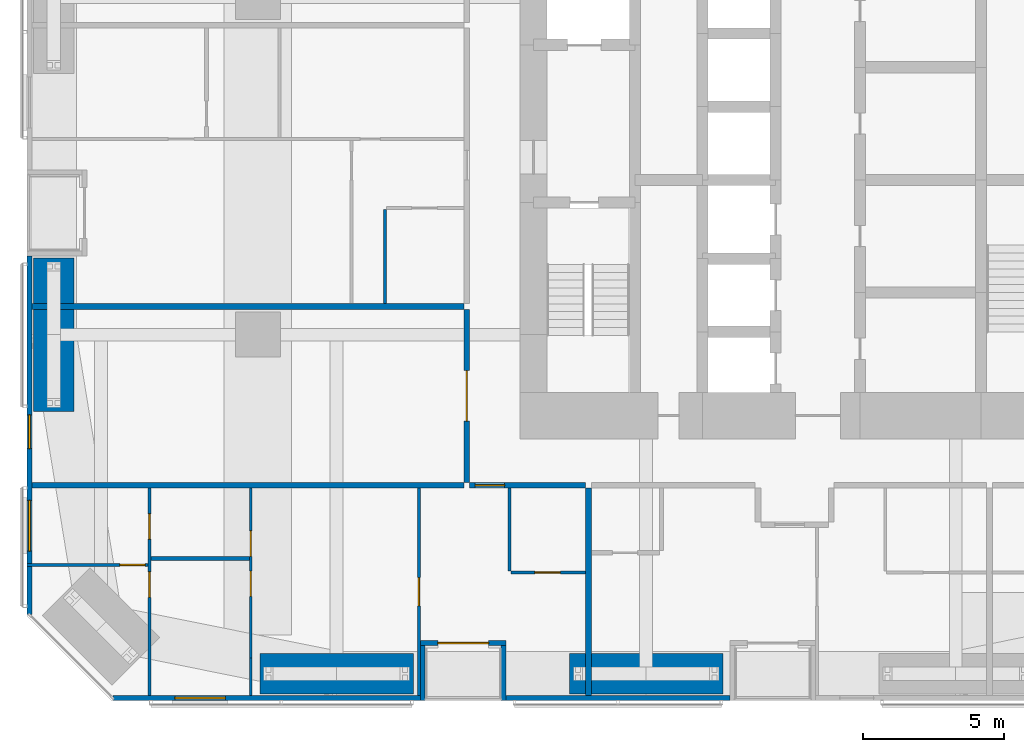
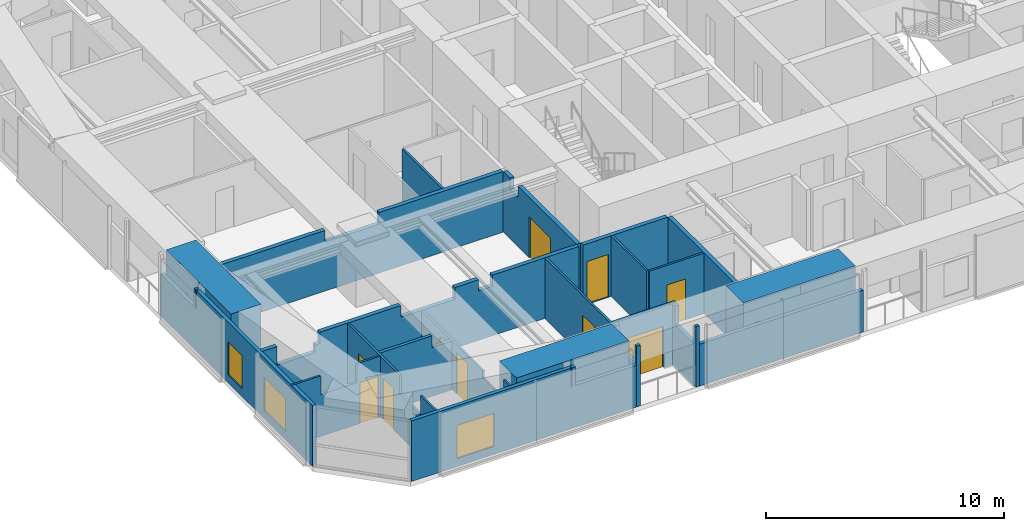
# One storey, part 16 of 23: 23 walls, 10 doors, 3 windows, 13 openings.
"""IFC4 building model written with IfcOpenShell, lengths in metres."""

from ifc_helpers import new_model, si_unit, direction, frame, frame_2d, origin, place, context, subcontext, project, spatial, polyline, rectangle, outline, extrude, material, layer, layer_set, constituent, constituent_set, type_object, element, fill, save


model = new_model("IFC4")

# Units and contexts
model_context = context("Model", 3, precision=1e-05, world=origin(), true_north=direction((0.0, 1.0)))
body_context = subcontext(model_context, "Body", "Model", "MODEL_VIEW")
ifc_project = project(units=[si_unit("LENGTHUNIT", "METRE"), si_unit("AREAUNIT", "SQUARE_METRE"), si_unit("VOLUMEUNIT", "CUBIC_METRE"), si_unit("PLANEANGLEUNIT", "RADIAN"), si_unit("MASSUNIT", "GRAM", prefix="KILO")], contexts=[model_context])

# Site, building, storey
site_placement = place(None, origin())
site = spatial("IfcSite", under=ifc_project, at=site_placement, CompositionType="ELEMENT")
building_placement = place(site_placement, origin())
building = spatial("IfcBuilding", under=site, at=building_placement, Name="Jalousie Tower", CompositionType="ELEMENT")
storey_placement = place(building_placement, frame((0.0, 0.0, 41.10009765625)))
storey = spatial("IfcBuildingStorey", under=building, at=storey_placement, Name="L10", CompositionType="ELEMENT", Elevation=41.10009765625)

# Wall
ifc_material_1 = material(Name="Concrete block ASTM C90", Category="concrete")
ifc_constituent_1 = constituent(ifc_material_1, Name="Body")
ifc_material_2 = material(Name="Render")
ifc_constituent_2 = constituent(ifc_material_2, Name="Finish")
ifc_constituent_set_1 = constituent_set(constituents=[ifc_constituent_1, ifc_constituent_2])
wall_type_1 = type_object("IfcWallType", Name="BATHROOM WALL 150", PredefinedType="PLUMBINGWALL", material=ifc_constituent_set_1)
wall_1_placement = place(storey_placement, frame((6.39990234375, 5.050048828125, 0.0), z_axis=(0.0, 0.0, 1.0), x_axis=(1.0, 0.0, 0.0)))
element("IfcWall", 1, at=wall_1_placement, inside=storey, type_object=wall_type_1, Name="Bathroom Wall 150 L10", PredefinedType="PLUMBINGWALL", context=body_context, shape_type="SweptSolid", body=[
    extrude(outline(polyline([(0.0, 0.0), (3.5, 0.0), (3.5, 3.10986328125), (3.5, 2.510009765625), (2.514892578125, 2.510009765625), (2.514892578125, 3.10986328125), (0.0, 3.10986328125), (0.0, 0.0)])), frame((0.0, 0.074951171875, 0.0), z_axis=(0.0, -1.0, 0.0), x_axis=(1.0, 0.0, 0.0)), (0.0, 0.0, 1.0), 0.14990234375),
])

# Wall, opening, door
ifc_material_3 = material(Name="Concrete block ASTM C90", Category="concrete")
ifc_constituent_3 = constituent(ifc_material_3, Name="Body")
ifc_material_4 = material(Name="Render")
ifc_constituent_4 = constituent(ifc_material_4, Name="Finish")
ifc_constituent_set_2 = constituent_set(constituents=[ifc_constituent_3, ifc_constituent_4])
wall_type_2 = type_object("IfcWallType", Name="CORRIDOR WALL 200", PredefinedType="PARTITIONING", material=ifc_constituent_set_2)
wall_2_placement = place(storey_placement, frame((17.72509765625, 7.64990234375, 0.0), z_axis=(0.0, 0.0, 1.0), x_axis=(1.0, 0.0, 0.0)))
wall_2 = element("IfcWall", 2, at=wall_2_placement, inside=storey, type_object=wall_type_2, Name="Corridor Wall 200 L10", PredefinedType="PARTITIONING", context=body_context, shape_type="SweptSolid", body=[
    extrude(rectangle(XDim=4.125, YDim=0.199951171875, at=frame_2d((2.0625, 0.0))), origin(), (0.0, 0.0, 1.0), 3.10986328125),
])
opening_1_placement = place(wall_2_placement, frame((0.199951171875, 0.0, 0.0)))
opening_1 = element("IfcOpeningElement", 3, at=opening_1_placement, cuts=wall_2, Name="Opening D1", PredefinedType="OPENING", context=body_context, shape_type="SweptSolid", body=[
    extrude(rectangle(XDim=1.050048828125, YDim=2.199951171875, at=frame_2d((0.52490234375, 1.10009765625))), frame((0.0, 0.10986328125, 0.0), z_axis=(0.0, -1.0, 0.0), x_axis=(1.0, 0.0, 0.0)), (0.0, 0.0, 1.0), 0.219970703125),
])
ifc_material_5 = material(Name="Timber fire door", Category="wood")
door_type_1 = type_object("IfcDoorType", Name="APARTMENT ENTRANCE DOOR 1050", OperationType="SINGLE_SWING_LEFT", PredefinedType="DOOR", material=ifc_material_5)
door_1_placement = place(opening_1_placement, frame((1.050048828125, 0.0, 0.0), z_axis=(0.0, 0.0, 1.0), x_axis=(-1.0, 0.0, 0.0)))
door_1 = element("IfcDoor", 4, at=door_1_placement, inside=storey, type_object=door_type_1, Name="Apartment 1001 entrance", OperationType="SINGLE_SWING_LEFT", OverallHeight=2.199951171875, OverallWidth=1.050048828125, PredefinedType="DOOR", context=body_context, shape_type="SweptSolid", body=[
    extrude(rectangle(XDim=1.050048828125, YDim=2.199951171875, at=frame_2d((0.52490234375, 1.10009765625))), frame((0.0, 0.02490234375, 0.0), z_axis=(0.0, -1.0, 0.0), x_axis=(1.0, 0.0, 0.0)), (0.0, 0.0, 1.0), 0.050048828125),
])
fill(opening_1, door_1)

wall_3_placement = place(storey_placement, frame((17.625, 7.75, 0.0), z_axis=(0.0, 0.0, 1.0), x_axis=(0.0, 1.0, 0.0)))
wall_3 = element("IfcWall", 5, at=wall_3_placement, inside=storey, type_object=wall_type_2, Name="Corridor Wall 200 L10", PredefinedType="PARTITIONING", context=body_context, shape_type="SweptSolid", body=[
    extrude(outline(polyline([(0.0, 0.0), (6.14990234375, 0.0), (6.14990234375, 3.10986328125), (5.58740234375, 3.10986328125), (5.58740234375, 2.541015625), (4.91259765625, 2.541015625), (4.91259765625, 3.10986328125), (0.0, 3.10986328125), (0.0, 0.0)])), frame((0.0, 0.10009765625, 0.0), z_axis=(0.0, -1.0, 0.0), x_axis=(1.0, 0.0, 0.0)), (0.0, 0.0, 1.0), 0.199951171875),
])
opening_2_placement = place(wall_3_placement, frame((2.175048828125, 0.0, 0.0)))
opening_2 = element("IfcOpeningElement", 6, at=opening_2_placement, cuts=wall_3, Name="Opening D22", PredefinedType="OPENING", context=body_context, shape_type="SweptSolid", body=[
    extrude(rectangle(XDim=1.800048828125, YDim=2.10009765625, at=frame_2d((0.89990234375, 1.050048828125))), frame((0.0, 0.10986328125, 0.0), z_axis=(0.0, -1.0, 0.0), x_axis=(1.0, 0.0, 0.0)), (0.0, 0.0, 1.0), 0.219970703125),
])
ifc_material_6 = material(Name="Timber fire door", Category="wood")
door_type_2 = type_object("IfcDoorType", Name="CORRIDOR DOUBLE DOOR 1800", OperationType="DOUBLE_DOOR_SINGLE_SWING", PredefinedType="DOOR", material=ifc_material_6)
door_2_placement = place(opening_2_placement, origin())
door_2 = element("IfcDoor", 7, at=door_2_placement, inside=storey, type_object=door_type_2, Name="Residents' co-working room door", OperationType="DOUBLE_DOOR_SINGLE_SWING", OverallHeight=2.10009765625, OverallWidth=1.800048828125, PredefinedType="DOOR", context=body_context, shape_type="SweptSolid", body=[
    extrude(rectangle(XDim=1.800048828125, YDim=2.10009765625, at=frame_2d((0.89990234375, 1.050048828125))), frame((0.0, 0.02490234375, 0.0), z_axis=(0.0, -1.0, 0.0), x_axis=(1.0, 0.0, 0.0)), (0.0, 0.0, 1.0), 0.050048828125),
])
fill(opening_2, door_2)

# Wall, opening, window
ifc_material_7 = material(Name="Concrete f'c 40 MPa", Category="concrete")
ifc_constituent_5 = constituent(ifc_material_7, Name="Body")
ifc_material_8 = material(Name="Render, pastel coral")
ifc_constituent_6 = constituent(ifc_material_8, Name="Finish")
ifc_constituent_set_3 = constituent_set(constituents=[ifc_constituent_5, ifc_constituent_6])
wall_type_3 = type_object("IfcWallType", Name="EXTERNAL WALL 175 CORAL RENDER", PredefinedType="SOLIDWALL", material=ifc_constituent_set_3)
wall_4_placement = place(storey_placement, frame((5.05126953125, 0.08740234375, 0.0), z_axis=(0.0, 0.0, 1.0), x_axis=(1.0, 0.0, 0.0)))
wall_4 = element("IfcWall", 8, at=wall_4_placement, inside=storey, type_object=wall_type_3, Name="External Wall 175 Coral Render L10", PredefinedType="SOLIDWALL", context=body_context, shape_type="SweptSolid", body=[
    extrude(outline(polyline([(0.0, 0.0), (10.923828125, 0.0), (10.923583984375, 2.14990234375), (7.94873046875, 2.14990234375), (7.94873046875, 3.10986328125), (7.79296875, 3.10986328125), (7.79296875, 2.14990234375), (7.74462890625, 2.14990234375), (7.74462890625, 3.10986328125), (0.0, 3.10986328125), (0.0, 0.0)])), frame((0.0, 0.08740234375, 0.0), z_axis=(0.0, -1.0, 0.0), x_axis=(1.0, 0.0, 0.0)), (0.0, 0.0, 1.0), 0.175048828125),
])
opening_3_placement = place(wall_4_placement, frame((2.19873046875, 0.0, 0.39990234375)))
opening_3 = element("IfcOpeningElement", 9, at=opening_3_placement, cuts=wall_4, Name="Opening W-BED170", PredefinedType="OPENING", context=body_context, shape_type="SweptSolid", body=[
    extrude(rectangle(XDim=1.800048828125, YDim=1.699951171875, at=frame_2d((0.89990234375, 0.85009765625))), frame((0.0, 0.097412109375, 0.0), z_axis=(0.0, -1.0, 0.0), x_axis=(1.0, 0.0, 0.0)), (0.0, 0.0, 1.0), 0.195068359375),
])
ifc_material_9 = material(Name="Aluminium frame, impact-rated glazing", Category="aluminium")
window_type_1 = type_object("IfcWindowType", Name="WINDOW BED 1800x1700", PartitioningType="SINGLE_PANEL", PredefinedType="WINDOW", material=ifc_material_9)
window_1_placement = place(opening_3_placement, origin())
window_1 = element("IfcWindow", 10, at=window_1_placement, inside=storey, type_object=window_type_1, Name="Apartment 1001 bedroom 2 window", OverallHeight=1.699951171875, OverallWidth=1.800048828125, PartitioningType="SINGLE_PANEL", PredefinedType="WINDOW", context=body_context, shape_type="SweptSolid", body=[
    extrude(rectangle(XDim=1.800048828125, YDim=1.699951171875, at=frame_2d((0.89990234375, 0.85009765625))), frame((0.0, 0.030029296875, 0.0), z_axis=(0.0, -1.0, 0.0), x_axis=(1.0, 0.0, 0.0)), (0.0, 0.0, 1.0), 0.06005859375),
])
fill(opening_3, window_1)

# Wall
wall_5_placement = place(storey_placement, frame((19.02490234375, 0.08740234375, 0.0), z_axis=(0.0, 0.0, 1.0), x_axis=(1.0, 0.0, 0.0)))
element("IfcWall", 11, at=wall_5_placement, inside=storey, type_object=wall_type_3, Name="External Wall 175 Coral Render L10", PredefinedType="SOLIDWALL", context=body_context, shape_type="SweptSolid", body=[
    extrude(rectangle(XDim=7.9501953125, YDim=0.175048828125, at=frame_2d((3.97509765625, 0.0))), origin(), (0.0, 0.0, 1.0), 2.14990234375),
])

# Wall, opening, door
wall_6_placement = place(storey_placement, frame((15.97509765625, 2.03759765625, 0.0), z_axis=(0.0, 0.0, 1.0), x_axis=(1.0, 0.0, 0.0)))
wall_6 = element("IfcWall", 12, at=wall_6_placement, inside=storey, type_object=wall_type_3, Name="External Wall 175 Coral Render L10", PredefinedType="SOLIDWALL", context=body_context, shape_type="SweptSolid", body=[
    extrude(rectangle(XDim=3.0498046875, YDim=0.175048828125, at=frame_2d((1.52490234375, 0.0))), origin(), (0.0, 0.0, 1.0), 3.10986328125),
])
opening_4_placement = place(wall_6_placement, frame((0.625, 0.0, 0.0)))
opening_4 = element("IfcOpeningElement", 13, at=opening_4_placement, cuts=wall_6, Name="Opening D-BAL21", PredefinedType="OPENING", context=body_context, shape_type="SweptSolid", body=[
    extrude(rectangle(XDim=1.800048828125, YDim=2.10009765625, at=frame_2d((0.89990234375, 1.050048828125))), frame((0.0, 0.097412109375, 0.0), z_axis=(0.0, -1.0, 0.0), x_axis=(1.0, 0.0, 0.0)), (0.0, 0.0, 1.0), 0.195068359375),
])
ifc_material_10 = material(Name="Aluminium frame, impact-rated glazing", Category="aluminium")
door_type_3 = type_object("IfcDoorType", Name="BALCONY DOOR 1800x2100", OperationType="SLIDING_TO_LEFT", PredefinedType="DOOR", material=ifc_material_10)
door_3_placement = place(opening_4_placement, origin())
door_3 = element("IfcDoor", 14, at=door_3_placement, inside=storey, type_object=door_type_3, Name="Apartment 1001 living room loggia door", OperationType="SLIDING_TO_LEFT", OverallHeight=2.10009765625, OverallWidth=1.800048828125, PredefinedType="DOOR", context=body_context, shape_type="SweptSolid", body=[
    extrude(rectangle(XDim=1.800048828125, YDim=2.10009765625, at=frame_2d((0.89990234375, 1.050048828125))), frame((0.0, 0.02490234375, 0.0), z_axis=(0.0, -1.0, 0.0), x_axis=(1.0, 0.0, 0.0)), (0.0, 0.0, 1.0), 0.050048828125),
])
fill(opening_4, door_3)

# Walls
for number, where, z_axis, x_axis, name in (
    (15, (16.0625, 0.0, 0.0), (0.0, 0.0, 1.0), (0.0, 1.0, 0.0), "External Wall 175 Coral Render L10"),
    (16, (18.9375, 0.0, 0.0), (0.0, 0.0, 1.0), (0.0, 1.0, 0.0), "External Wall 175 Coral Render L10"),
):
    element("IfcWall", number, at=place(storey_placement, frame(where, z_axis=z_axis, x_axis=x_axis)), inside=storey, type_object=wall_type_3, Name=name, PredefinedType="SOLIDWALL", context=body_context, shape_type="SweptSolid", body=[
        extrude(outline(polyline([(0.0, 0.0), (1.949951171875, 0.0), (1.949951171875, 3.10986328125), (1.75, 3.10986328125), (1.75, 2.14990234375), (0.14990234375, 2.14990234375), (0.14990234375, 3.10986328125), (0.0, 3.10986328125), (0.0, 0.0)])), frame((0.0, 0.08740234375, 0.0), z_axis=(0.0, -1.0, 0.0), x_axis=(1.0, 0.0, 0.0)), (0.0, 0.0, 1.0), 0.175048828125),
    ])

# Wall, openings, windows
wall_7_placement = place(storey_placement, frame((2.08740234375, 15.800048828125, 0.0), z_axis=(0.0, 0.0, 1.0), x_axis=(0.0, -1.0, 0.0)))
wall_7 = element("IfcWall", 17, at=wall_7_placement, inside=storey, type_object=wall_type_3, Name="External Wall 175 Coral Render L10", PredefinedType="SOLIDWALL", context=body_context, shape_type="SweptSolid", body=[
    extrude(outline(polyline([(0.0, 0.0), (12.748779296875, 0.0), (12.748779296875, 3.10986328125), (3.0185546875, 3.10986328125), (3.0185546875, 2.14990234375), (2.92578125, 2.14990234375), (2.92578125, 3.10986328125), (2.800048828125, 3.10986328125), (2.800048828125, 2.14990234375), (0.0, 2.14990234375), (0.0, 0.0)])), frame((0.0, 0.08740234375, 0.0), z_axis=(0.0, -1.0, 0.0), x_axis=(1.0, 0.0, 0.0)), (0.0, 0.0, 1.0), 0.175048828125),
])
opening_5_placement = place(wall_7_placement, frame((5.64990234375, 0.0, 0.39990234375)))
opening_5 = element("IfcOpeningElement", 18, at=opening_5_placement, cuts=wall_7, Name="Opening W-COR170", PredefinedType="OPENING", context=body_context, shape_type="SweptSolid", body=[
    extrude(rectangle(XDim=1.199951171875, YDim=1.699951171875, at=frame_2d((0.60009765625, 0.85009765625))), frame((0.0, 0.097412109375, 0.0), z_axis=(0.0, -1.0, 0.0), x_axis=(1.0, 0.0, 0.0)), (0.0, 0.0, 1.0), 0.195068359375),
])
opening_6_placement = place(wall_7_placement, frame((8.69140625, 0.0, 0.39990234375)))
opening_6 = element("IfcOpeningElement", 19, at=opening_6_placement, cuts=wall_7, Name="Opening W-BED170", PredefinedType="OPENING", context=body_context, shape_type="SweptSolid", body=[
    extrude(rectangle(XDim=1.800048828125, YDim=1.699951171875, at=frame_2d((0.89990234375, 0.85009765625))), frame((0.0, 0.097412109375, 0.0), z_axis=(0.0, -1.0, 0.0), x_axis=(1.0, 0.0, 0.0)), (0.0, 0.0, 1.0), 0.195068359375),
])
window_2_placement = place(opening_6_placement, origin())
window_2 = element("IfcWindow", 20, at=window_2_placement, inside=storey, type_object=window_type_1, Name="Apartment 1001 bedroom 1 window", OverallHeight=1.699951171875, OverallWidth=1.800048828125, PartitioningType="SINGLE_PANEL", PredefinedType="WINDOW", context=body_context, shape_type="SweptSolid", body=[
    extrude(rectangle(XDim=1.800048828125, YDim=1.699951171875, at=frame_2d((0.89990234375, 0.85009765625))), frame((0.0, 0.030029296875, 0.0), z_axis=(0.0, -1.0, 0.0), x_axis=(1.0, 0.0, 0.0)), (0.0, 0.0, 1.0), 0.06005859375),
])
fill(opening_6, window_2)
ifc_material_11 = material(Name="Aluminium frame, impact-rated glazing", Category="aluminium")
window_type_2 = type_object("IfcWindowType", Name="WINDOW COR 1200x1700", PartitioningType="SINGLE_PANEL", PredefinedType="WINDOW", material=ifc_material_11)
window_3_placement = place(opening_5_placement, origin())
window_3 = element("IfcWindow", 21, at=window_3_placement, inside=storey, type_object=window_type_2, Name="Residents' co-working room window", OverallHeight=1.699951171875, OverallWidth=1.199951171875, PartitioningType="SINGLE_PANEL", PredefinedType="WINDOW", context=body_context, shape_type="SweptSolid", body=[
    extrude(rectangle(XDim=1.199951171875, YDim=1.699951171875, at=frame_2d((0.60009765625, 0.85009765625))), frame((0.0, 0.030029296875, 0.0), z_axis=(0.0, -1.0, 0.0), x_axis=(1.0, 0.0, 0.0)), (0.0, 0.0, 1.0), 0.06005859375),
])
fill(opening_5, window_3)

# Wall, openings, doors
ifc_material_12 = material(Name="Gypsum board", Category="gypsum")
ifc_constituent_7 = constituent(ifc_material_12, Name="Body")
ifc_material_13 = material(Name="Light-gauge steel studs ASTM A653 SS Grade 33", Category="steel")
ifc_constituent_8 = constituent(ifc_material_13, Name="Framing")
ifc_constituent_set_4 = constituent_set(constituents=[ifc_constituent_7, ifc_constituent_8])
wall_type_4 = type_object("IfcWallType", Name="PARTITION 100", PredefinedType="PARTITIONING", material=ifc_constituent_set_4)
wall_8_placement = place(storey_placement, frame((6.35009765625, 0.175048828125, 0.0), z_axis=(0.0, 0.0, 1.0), x_axis=(0.0, 1.0, 0.0)))
wall_8 = element("IfcWall", 22, at=wall_8_placement, inside=storey, type_object=wall_type_4, Name="Partition 100 L10", PredefinedType="PARTITIONING", context=body_context, shape_type="SweptSolid", body=[
    extrude(outline(polyline([(0.0, 0.0), (7.375, 0.0), (7.375, 3.10986328125), (2.98828125, 3.10986328125), (2.98828125, 2.14990234375), (1.23388671875, 2.14990234375), (1.23388671875, 3.10986328125), (0.0, 3.10986328125), (0.0, 0.0)])), frame((0.0, 0.050048828125, 0.0), z_axis=(0.0, -1.0, 0.0), x_axis=(1.0, 0.0, 0.0)), (0.0, 0.0, 1.0), 0.10009765625),
])
opening_7_placement = place(wall_8_placement, frame((3.492431640625, 0.0, 0.0)))
opening_7 = element("IfcOpeningElement", 23, at=opening_7_placement, cuts=wall_8, Name="Opening D2", PredefinedType="OPENING", context=body_context, shape_type="SweptSolid", body=[
    extrude(rectangle(XDim=0.89990234375, YDim=2.10009765625, at=frame_2d((0.449951171875, 1.050048828125))), frame((0.0, 0.06005859375, 0.0), z_axis=(0.0, -1.0, 0.0), x_axis=(1.0, 0.0, 0.0)), (0.0, 0.0, 1.0), 0.1201171875),
])
opening_8_placement = place(wall_8_placement, frame((5.55859375, 0.0, 0.0)))
opening_8 = element("IfcOpeningElement", 24, at=opening_8_placement, cuts=wall_8, Name="Opening D3", PredefinedType="OPENING", context=body_context, shape_type="SweptSolid", body=[
    extrude(rectangle(XDim=0.89990234375, YDim=2.10009765625, at=frame_2d((0.449951171875, 1.050048828125))), frame((0.0, 0.06005859375, 0.0), z_axis=(0.0, -1.0, 0.0), x_axis=(1.0, 0.0, 0.0)), (0.0, 0.0, 1.0), 0.1201171875),
])
ifc_material_14 = material(Name="Timber door", Category="wood")
door_type_4 = type_object("IfcDoorType", Name="BATHROOM DOOR 900", OperationType="SINGLE_SWING_LEFT", PredefinedType="DOOR", material=ifc_material_14)
door_4_placement = place(opening_8_placement, frame((0.89990234375, 0.0, 0.0), z_axis=(0.0, 0.0, 1.0), x_axis=(-1.0, 0.0, 0.0)))
door_4 = element("IfcDoor", 25, at=door_4_placement, inside=storey, type_object=door_type_4, Name="Apartment 1001 bedroom 1 bathroom door", OperationType="SINGLE_SWING_RIGHT", OverallHeight=2.10009765625, OverallWidth=0.89990234375, PredefinedType="DOOR", context=body_context, shape_type="SweptSolid", body=[
    extrude(rectangle(XDim=0.89990234375, YDim=2.10009765625, at=frame_2d((0.449951171875, 1.050048828125))), frame((0.0, 0.02490234375, 0.0), z_axis=(0.0, -1.0, 0.0), x_axis=(1.0, 0.0, 0.0)), (0.0, 0.0, 1.0), 0.050048828125),
])
fill(opening_8, door_4)
ifc_material_15 = material(Name="Timber door", Category="wood")
door_type_5 = type_object("IfcDoorType", Name="BEDROOM DOOR 900", OperationType="SINGLE_SWING_LEFT", PredefinedType="DOOR", material=ifc_material_15)
door_5_placement = place(opening_7_placement, frame((0.89990234375, 0.0, 0.0), z_axis=(0.0, 0.0, 1.0), x_axis=(-1.0, 0.0, 0.0)))
door_5 = element("IfcDoor", 26, at=door_5_placement, inside=storey, type_object=door_type_5, Name="Apartment 1001 bedroom 1 door", OperationType="SINGLE_SWING_LEFT", OverallHeight=2.10009765625, OverallWidth=0.89990234375, PredefinedType="DOOR", context=body_context, shape_type="SweptSolid", body=[
    extrude(rectangle(XDim=0.89990234375, YDim=2.10009765625, at=frame_2d((0.449951171875, 1.050048828125))), frame((0.0, 0.02490234375, 0.0), z_axis=(0.0, -1.0, 0.0), x_axis=(1.0, 0.0, 0.0)), (0.0, 0.0, 1.0), 0.050048828125),
])
fill(opening_7, door_5)

# Wall
wall_9_placement = place(storey_placement, frame((9.949951171875, 0.175048828125, 0.0), z_axis=(0.0, 0.0, 1.0), x_axis=(0.0, 1.0, 0.0)))
element("IfcWall", 27, at=wall_9_placement, inside=storey, type_object=wall_type_4, Name="Partition 100 L10-A", PredefinedType="PARTITIONING", context=body_context, shape_type="SweptSolid", body=[
    extrude(outline(polyline([(0.0, 0.0), (1.337646484375, 0.0), (1.337646484375, 2.14990234375), (0.510498046875, 2.14990234375), (0.510498046875, 3.10986328125), (0.0, 3.10986328125), (0.0, 0.0)])), frame((0.0, 0.050048828125, 0.0), z_axis=(0.0, -1.0, 0.0), x_axis=(1.0, 0.0, 0.0)), (0.0, 0.0, 1.0), 0.10009765625),
])

# Wall, openings, doors
wall_10_placement = place(storey_placement, frame((9.949951171875, 1.5126953125, 0.0), z_axis=(0.0, 0.0, 1.0), x_axis=(0.0, 1.0, 0.0)))
wall_10 = element("IfcWall", 28, at=wall_10_placement, inside=storey, type_object=wall_type_4, Name="Partition 100 L10-B", PredefinedType="PARTITIONING", context=body_context, shape_type="SweptSolid", body=[
    extrude(outline(polyline([(0.0, 0.0), (6.037353515625, 0.0), (6.037353515625, 2.510009765625), (0.927490234375, 2.510009765625), (0.927490234375, 2.14990234375), (0.0, 2.14990234375), (0.0, 0.0)])), frame((0.0, 0.050048828125, 0.0), z_axis=(0.0, -1.0, 0.0), x_axis=(1.0, 0.0, 0.0)), (0.0, 0.0, 1.0), 0.10009765625),
])
opening_9_placement = place(wall_10_placement, frame((2.1875, 0.0, 0.0)))
opening_9 = element("IfcOpeningElement", 29, at=opening_9_placement, cuts=wall_10, Name="Opening D2", PredefinedType="OPENING", context=body_context, shape_type="SweptSolid", body=[
    extrude(rectangle(XDim=0.89990234375, YDim=2.10009765625, at=frame_2d((0.449951171875, 1.050048828125))), frame((0.0, 0.06005859375, 0.0), z_axis=(0.0, -1.0, 0.0), x_axis=(1.0, 0.0, 0.0)), (0.0, 0.0, 1.0), 0.1201171875),
])
opening_10_placement = place(wall_10_placement, frame((3.6123046875, 0.0, 0.0)))
opening_10 = element("IfcOpeningElement", 30, at=opening_10_placement, cuts=wall_10, Name="Opening D7", PredefinedType="OPENING", context=body_context, shape_type="SweptSolid", body=[
    extrude(rectangle(XDim=0.89990234375, YDim=2.10009765625, at=frame_2d((0.449951171875, 1.050048828125))), frame((0.0, 0.06005859375, 0.0), z_axis=(0.0, -1.0, 0.0), x_axis=(1.0, 0.0, 0.0)), (0.0, 0.0, 1.0), 0.1201171875),
])
door_6_placement = place(opening_9_placement, origin())
door_6 = element("IfcDoor", 31, at=door_6_placement, inside=storey, type_object=door_type_5, Name="Apartment 1001 bedroom 2 door", OperationType="SINGLE_SWING_RIGHT", OverallHeight=2.10009765625, OverallWidth=0.89990234375, PredefinedType="DOOR", context=body_context, shape_type="SweptSolid", body=[
    extrude(rectangle(XDim=0.89990234375, YDim=2.10009765625, at=frame_2d((0.449951171875, 1.050048828125))), frame((0.0, 0.02490234375, 0.0), z_axis=(0.0, -1.0, 0.0), x_axis=(1.0, 0.0, 0.0)), (0.0, 0.0, 1.0), 0.050048828125),
])
fill(opening_9, door_6)
ifc_material_16 = material(Name="Timber door", Category="wood")
door_type_6 = type_object("IfcDoorType", Name="INTERNAL DOOR 900", OperationType="SINGLE_SWING_LEFT", PredefinedType="DOOR", material=ifc_material_16)
door_7_placement = place(opening_10_placement, origin())
door_7 = element("IfcDoor", 32, at=door_7_placement, inside=storey, type_object=door_type_6, Name="Apartment 1001 bathroom door", OperationType="SINGLE_SWING_LEFT", OverallHeight=2.10009765625, OverallWidth=0.89990234375, PredefinedType="DOOR", context=body_context, shape_type="SweptSolid", body=[
    extrude(rectangle(XDim=0.89990234375, YDim=2.10009765625, at=frame_2d((0.449951171875, 1.050048828125))), frame((0.0, 0.02490234375, 0.0), z_axis=(0.0, -1.0, 0.0), x_axis=(1.0, 0.0, 0.0)), (0.0, 0.0, 1.0), 0.050048828125),
])
fill(opening_10, door_7)

# Wall, opening, door
wall_11_placement = place(storey_placement, frame((2.0, 4.8173828125, 0.0), z_axis=(0.0, 0.0, 1.0), x_axis=(1.0, 0.0, 0.0)))
wall_11 = element("IfcWall", 33, at=wall_11_placement, inside=storey, type_object=wall_type_4, Name="Partition 100 L10", PredefinedType="PARTITIONING", context=body_context, shape_type="SweptSolid", body=[
    extrude(outline(polyline([(0.0, 0.0), (4.300048828125, 0.0), (4.300048828125, 3.10986328125), (3.148193359375, 3.10986328125), (3.148193359375, 2.14990234375), (1.40576171875, 2.14990234375), (1.40576171875, 3.10986328125), (0.0, 3.10986328125), (0.0, 0.0)])), frame((0.0, 0.050048828125, 0.0), z_axis=(0.0, -1.0, 0.0), x_axis=(1.0, 0.0, 0.0)), (0.0, 0.0, 1.0), 0.10009765625),
])
opening_11_placement = place(wall_11_placement, frame((3.300048828125, 0.0, 0.0)))
opening_11 = element("IfcOpeningElement", 34, at=opening_11_placement, cuts=wall_11, Name="Opening D7", PredefinedType="OPENING", context=body_context, shape_type="SweptSolid", body=[
    extrude(rectangle(XDim=0.89990234375, YDim=2.10009765625, at=frame_2d((0.449951171875, 1.050048828125))), frame((0.0, 0.06005859375, 0.0), z_axis=(0.0, -1.0, 0.0), x_axis=(1.0, 0.0, 0.0)), (0.0, 0.0, 1.0), 0.1201171875),
])
door_8_placement = place(opening_11_placement, origin())
door_8 = element("IfcDoor", 35, at=door_8_placement, inside=storey, type_object=door_type_6, Name="Apartment 1001 bedroom 1 dressing hall door", OperationType="SINGLE_SWING_RIGHT", OverallHeight=2.10009765625, OverallWidth=0.89990234375, PredefinedType="DOOR", context=body_context, shape_type="SweptSolid", body=[
    extrude(rectangle(XDim=0.89990234375, YDim=2.10009765625, at=frame_2d((0.449951171875, 1.050048828125))), frame((0.0, 0.02490234375, 0.0), z_axis=(0.0, -1.0, 0.0), x_axis=(1.0, 0.0, 0.0)), (0.0, 0.0, 1.0), 0.050048828125),
])
fill(opening_11, door_8)

wall_12_placement = place(storey_placement, frame((19.199951171875, 4.550048828125, 0.0), z_axis=(0.0, 0.0, 1.0), x_axis=(1.0, 0.0, 0.0)))
wall_12 = element("IfcWall", 36, at=wall_12_placement, inside=storey, type_object=wall_type_4, Name="Partition 100 L10", PredefinedType="PARTITIONING", context=body_context, shape_type="SweptSolid", body=[
    extrude(rectangle(XDim=2.650146484375, YDim=0.10009765625, at=frame_2d((1.3251953125, 0.0))), origin(), (0.0, 0.0, 1.0), 3.10986328125),
])
opening_12_placement = place(wall_12_placement, frame((0.85009765625, 0.0, 0.0)))
opening_12 = element("IfcOpeningElement", 37, at=opening_12_placement, cuts=wall_12, Name="Opening D7", PredefinedType="OPENING", context=body_context, shape_type="SweptSolid", body=[
    extrude(rectangle(XDim=0.89990234375, YDim=2.10009765625, at=frame_2d((0.449951171875, 1.050048828125))), frame((0.0, 0.06005859375, 0.0), z_axis=(0.0, -1.0, 0.0), x_axis=(1.0, 0.0, 0.0)), (0.0, 0.0, 1.0), 0.1201171875),
])
door_9_placement = place(opening_12_placement, origin())
door_9 = element("IfcDoor", 38, at=door_9_placement, inside=storey, type_object=door_type_6, Name="Apartment 1001 kitchen door", OperationType="SINGLE_SWING_LEFT", OverallHeight=2.10009765625, OverallWidth=0.89990234375, PredefinedType="DOOR", context=body_context, shape_type="SweptSolid", body=[
    extrude(rectangle(XDim=0.89990234375, YDim=2.10009765625, at=frame_2d((0.449951171875, 1.050048828125))), frame((0.0, 0.02490234375, 0.0), z_axis=(0.0, -1.0, 0.0), x_axis=(1.0, 0.0, 0.0)), (0.0, 0.0, 1.0), 0.050048828125),
])
fill(opening_12, door_9)

# Wall
wall_13_placement = place(storey_placement, frame((19.14990234375, 4.60009765625, 0.0), z_axis=(0.0, 0.0, 1.0), x_axis=(0.0, 1.0, 0.0)))
element("IfcWall", 39, at=wall_13_placement, inside=storey, type_object=wall_type_4, Name="Partition 100 L10", PredefinedType="PARTITIONING", context=body_context, shape_type="SweptSolid", body=[
    extrude(rectangle(XDim=2.949951171875, YDim=0.10009765625, at=frame_2d((1.47509765625, 0.0))), origin(), (0.0, 0.0, 1.0), 3.10986328125),
])

# Wall, opening, door
wall_14_placement = place(storey_placement, frame((15.925048828125, 0.175048828125, 0.0), z_axis=(0.0, 0.0, 1.0), x_axis=(0.0, 1.0, 0.0)))
wall_14 = element("IfcWall", 40, at=wall_14_placement, inside=storey, type_object=wall_type_4, Name="Partition 100 L10", PredefinedType="PARTITIONING", context=body_context, shape_type="SweptSolid", body=[
    extrude(outline(polyline([(0.0, 0.0), (7.375, 0.0), (7.375, 3.10986328125), (1.635009765625, 3.10986328125), (1.635009765625, 2.14990234375), (0.0, 2.14990234375), (0.0, 3.10986328125), (0.0, 0.0)])), frame((0.0, 0.050048828125, 0.0), z_axis=(0.0, -1.0, 0.0), x_axis=(1.0, 0.0, 0.0)), (0.0, 0.0, 1.0), 0.10009765625),
])
opening_13_placement = place(wall_14_placement, frame((3.1875, 0.0, 0.0)))
opening_13 = element("IfcOpeningElement", 41, at=opening_13_placement, cuts=wall_14, Name="Opening D6", PredefinedType="OPENING", context=body_context, shape_type="SweptSolid", body=[
    extrude(rectangle(XDim=1.0, YDim=2.10009765625, at=frame_2d((0.5, 1.050048828125))), frame((0.0, 0.06005859375, 0.0), z_axis=(0.0, -1.0, 0.0), x_axis=(1.0, 0.0, 0.0)), (0.0, 0.0, 1.0), 0.1201171875),
])
ifc_material_17 = material(Name="Timber door", Category="wood")
door_type_7 = type_object("IfcDoorType", Name="INTERNAL DOOR 1000", OperationType="SINGLE_SWING_LEFT", PredefinedType="DOOR", material=ifc_material_17)
door_10_placement = place(opening_13_placement, origin())
door_10 = element("IfcDoor", 42, at=door_10_placement, inside=storey, type_object=door_type_7, Name="Apartment 1001 dining room door", OperationType="SINGLE_SWING_LEFT", OverallHeight=2.10009765625, OverallWidth=1.0, PredefinedType="DOOR", context=body_context, shape_type="SweptSolid", body=[
    extrude(rectangle(XDim=1.0, YDim=2.10009765625, at=frame_2d((0.5, 1.050048828125))), frame((0.0, 0.02490234375, 0.0), z_axis=(0.0, -1.0, 0.0), x_axis=(1.0, 0.0, 0.0)), (0.0, 0.0, 1.0), 0.050048828125),
])
fill(opening_13, door_10)

# Walls
wall_15_placement = place(storey_placement, frame((14.72509765625, 14.10009765625, 0.0), z_axis=(0.0, 0.0, 1.0), x_axis=(0.0, 1.0, 0.0)))
element("IfcWall", 43, at=wall_15_placement, inside=storey, type_object=wall_type_4, Name="Partition 100 L10", PredefinedType="PARTITIONING", context=body_context, shape_type="SweptSolid", body=[
    extrude(rectangle(XDim=3.349853515625, YDim=0.10009765625, at=frame_2d((1.6748046875, 0.0))), origin(), (0.0, 0.0, 1.0), 3.10986328125),
])
ifc_material_18 = material(Name="Concrete block ASTM C90", Category="concrete")
ifc_constituent_9 = constituent(ifc_material_18, Name="Body")
ifc_material_19 = material(Name="Render")
ifc_constituent_10 = constituent(ifc_material_19, Name="Finish")
ifc_constituent_set_5 = constituent_set(constituents=[ifc_constituent_9, ifc_constituent_10])
wall_type_5 = type_object("IfcWallType", Name="PARTY WALL 200", PredefinedType="PARTITIONING", material=ifc_constituent_set_5)
wall_16_placement = place(storey_placement, frame((21.949951171875, 0.175048828125, 0.0), z_axis=(0.0, 0.0, 1.0), x_axis=(0.0, 1.0, 0.0)))
element("IfcWall", 44, at=wall_16_placement, inside=storey, type_object=wall_type_5, Name="Party Wall 200 L10", PredefinedType="PARTITIONING", context=body_context, shape_type="SweptSolid", body=[
    extrude(outline(polyline([(0.52880859375, 2.14990234375), (0.0, 2.14990234375), (0.0, 0.0), (0.52880859375, 0.0), (0.52880859375, 0.08984375), (1.021240234375, 0.08984375), (1.021240234375, 0.0), (7.375, 0.0), (7.375, 3.10986328125), (1.68505859375, 3.10986328125), (1.68505859375, 2.14990234375), (1.021240234375, 2.14990234375), (1.021240234375, 2.059814453125), (0.52880859375, 2.059814453125), (0.52880859375, 2.14990234375)])), frame((0.0, 0.10009765625, 0.0), z_axis=(0.0, -1.0, 0.0), x_axis=(1.0, 0.0, 0.0)), (0.0, 0.0, 1.0), 0.199951171875),
])
wall_17_placement = place(storey_placement, frame((2.0, 7.64990234375, 0.0), z_axis=(0.0, 0.0, 1.0), x_axis=(1.0, 0.0, 0.0)))
element("IfcWall", 45, at=wall_17_placement, inside=storey, type_object=wall_type_5, Name="Party Wall 200 L10", PredefinedType="PARTITIONING", context=body_context, shape_type="SweptSolid", body=[
    extrude(outline(polyline([(0.0, 0.0), (15.52490234375, 0.0), (15.52490234375, 3.10986328125), (11.33740234375, 3.10986328125), (11.33740234375, 2.541015625), (10.66259765625, 2.541015625), (10.66259765625, 3.10986328125), (9.510009765625, 3.10986328125), (9.510009765625, 2.510009765625), (6.889892578125, 2.510009765625), (6.889892578125, 3.10986328125), (2.96875, 3.10986328125), (2.96875, 2.541015625), (2.739501953125, 2.541015625), (2.739501953125, 2.14990234375), (0.895751953125, 2.14990234375), (0.895751953125, 3.10986328125), (0.0, 3.10986328125), (0.0, 0.0)])), frame((0.0, 0.10009765625, 0.0), z_axis=(0.0, -1.0, 0.0), x_axis=(1.0, 0.0, 0.0)), (0.0, 0.0, 1.0), 0.199951171875),
])
wall_18_placement = place(storey_placement, frame((2.175048828125, 14.0, 0.0), z_axis=(0.0, 0.0, 1.0), x_axis=(1.0, 0.0, 0.0)))
element("IfcWall", 46, at=wall_18_placement, inside=storey, type_object=wall_type_5, Name="Party Wall 200 L10", PredefinedType="PARTITIONING", context=body_context, shape_type="SweptSolid", body=[
    extrude(outline(polyline([(0.52880859375, 2.14990234375), (0.0, 2.14990234375), (0.0, 0.0), (0.52880859375, 0.0), (0.52880859375, 0.815185546875), (1.021240234375, 0.815185546875), (1.021240234375, 0.0), (15.35009765625, 0.0), (15.35009765625, 3.10986328125), (9.3349609375, 3.10986328125), (9.3349609375, 2.510009765625), (6.715087890625, 2.510009765625), (6.715087890625, 3.10986328125), (1.68505859375, 3.10986328125), (1.68505859375, 2.14990234375), (1.021240234375, 2.14990234375), (1.021240234375, 1.334716796875), (0.52880859375, 1.334716796875), (0.52880859375, 2.14990234375)])), frame((0.0, 0.10009765625, 0.0), z_axis=(0.0, -1.0, 0.0), x_axis=(1.0, 0.0, 0.0)), (0.0, 0.0, 1.0), 0.199951171875),
])
ifc_material_20 = material(Name="Concrete f'c 120 MPa", Category="concrete")
ifc_layer = layer(ifc_material_20, 1.449951171875)
ifc_layer_set = layer_set([ifc_layer], Name="Concrete f'c 120 MPa")
wall_type_6 = type_object("IfcWallType", Name="RC WALL PIER 1450", PredefinedType="SHEAR", material=ifc_layer_set)
for number, where, z_axis, x_axis, name in (
    (47, (10.27490234375, 0.949951171875, 0.0), (0.0, 0.0, 1.0), (1.0, 0.0, 0.0), "Wall pier 02 L10"),
    (48, (21.27490234375, 0.949951171875, 0.0), (0.0, 0.0, 1.0), (1.0, 0.0, 0.0), "Wall pier 03 L10"),
    (49, (2.949951171875, 10.27490234375, 0.0), (0.0, 0.0, 1.0), (0.0, 1.0, 0.0), "Wall pier 14 L10"),
):
    element("IfcWall", number, at=place(storey_placement, frame(where, z_axis=z_axis, x_axis=x_axis)), inside=storey, type_object=wall_type_6, Name=name, PredefinedType="SHEAR", context=body_context, shape_type="SweptSolid", body=[
        extrude(rectangle(XDim=5.4501953125, YDim=1.449951171875, at=frame_2d((2.72509765625, 0.0))), origin(), (0.0, 0.0, 1.0), 3.349853515625),
    ])

save(model, "model.ifc")
